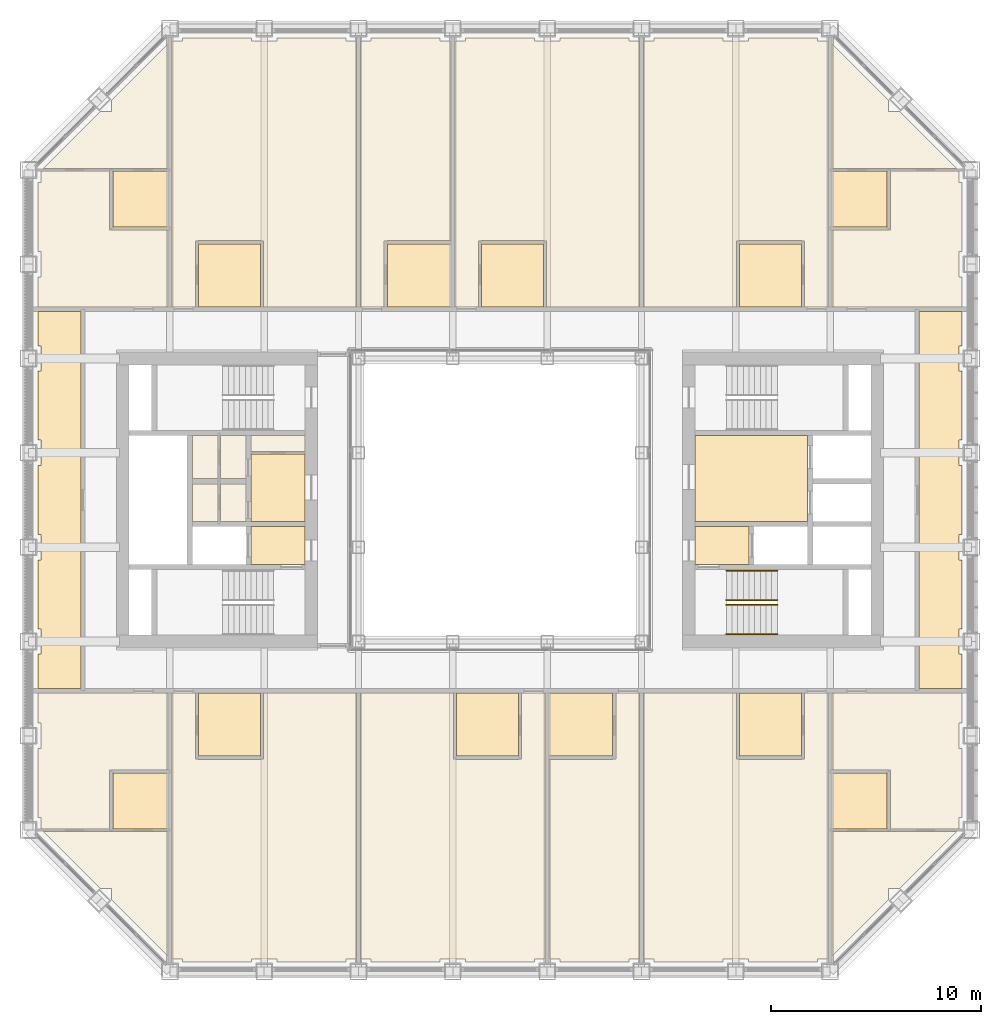
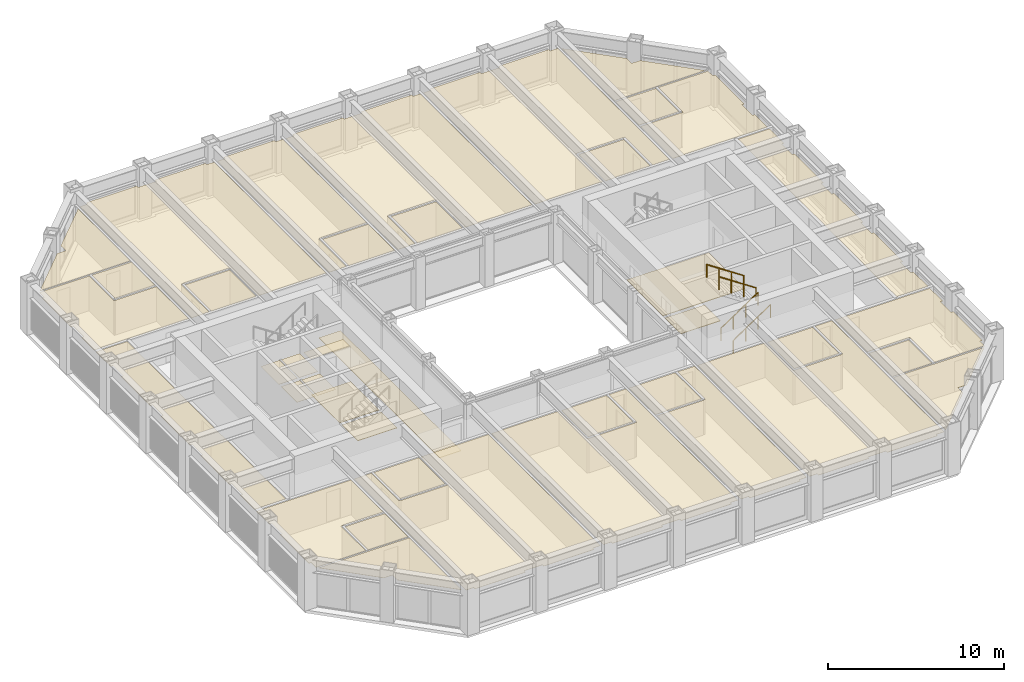
# One storey, part 16 of 17: 4 coverings, 4 railings.
"""IFC4 building model written with IfcOpenShell, lengths in metres."""

import ifcopenshell
import ifcopenshell.guid

model = None  # the IFC model being written
_history = None  # IfcOwnerHistory: only IFC2X3 demands one
_inside = {}  # id of a spatial element -> (the spatial element, [elements in it])
_under = {}  # id of a project, library or spatial element -> (it, [spatial elements below it])
_declared = {}  # id of a project -> (the project, [libraries it declares])
_typed = {}  # id of a type object -> (the type object, [elements of that type])
_made_of = {}  # id of a material, layer set ... -> (it, [elements and type objects made of it])


def new_model(schema):
    """Start an empty IFC model of exactly this schema.

    Asked for "IFC4X3", IfcOpenShell would pick the latest addendum, in which some entities
    have other attributes; the version numbers below select the first issue.
    IFC2X3 requires an IfcOwnerHistory on every rooted entity: one is made here for all.
    """
    global model, _history
    if schema == "IFC4X3":
        model = ifcopenshell.file(schema_version=(4, 3, 0, 0))
    else:
        model = ifcopenshell.file(schema=schema)
    _inside.clear()
    _under.clear()
    _declared.clear()
    _typed.clear()
    _made_of.clear()
    _history = None
    if model.schema == "IFC2X3":
        org = make("IfcOrganization", Name="unknown")
        user = make(
            "IfcPersonAndOrganization",
            ThePerson=make("IfcPerson", FamilyName="unknown"),
            TheOrganization=org,
        )
        app = make(
            "IfcApplication",
            ApplicationDeveloper=org,
            Version="unknown",
            ApplicationFullName="unknown",
            ApplicationIdentifier="unknown",
        )
        _history = make(
            "IfcOwnerHistory",
            OwningUser=user,
            OwningApplication=app,
            ChangeAction="ADDED",
            CreationDate=0,
        )
    return model


def make(cls, **values):
    """One entity of the class cls with the attributes given. An attribute that is None is left unset."""
    return model.create_entity(
        cls, **{name: value for name, value in values.items() if value is not None}
    )


def rooted(cls, **values):
    """An entity with a GlobalId (a new one), such as an element, a storey or a relation."""
    return make(cls, GlobalId=ifcopenshell.guid.new(), OwnerHistory=_history, **values)


def si_unit(unit_type, name, prefix=None):
    """IfcSIUnit, for example si_unit("LENGTHUNIT", "METRE", prefix="MILLI")."""
    return make("IfcSIUnit", UnitType=unit_type, Prefix=prefix, Name=name)


def assignment(units):
    """IfcUnitAssignment: the units of a project."""
    return None if units is None else make("IfcUnitAssignment", Units=units)


def point(xyz):
    """IfcCartesianPoint."""
    return None if xyz is None else make("IfcCartesianPoint", Coordinates=xyz)


def direction(xyz):
    """IfcDirection."""
    return None if xyz is None else make("IfcDirection", DirectionRatios=xyz)


def frame(location, z_axis=None, x_axis=None):
    """IfcAxis2Placement3D, a coordinate frame: its origin and axes. An axis left out is left unset."""
    return make(
        "IfcAxis2Placement3D",
        Location=point(location),
        Axis=direction(z_axis),
        RefDirection=direction(x_axis),
    )


def frame_2d(location, x_axis=None):
    """IfcAxis2Placement2D, a coordinate frame in the plane: its origin and x axis."""
    return make(
        "IfcAxis2Placement2D", Location=point(location), RefDirection=direction(x_axis)
    )


def origin():
    """The frame at (0, 0, 0) with its axes left unset."""
    return frame((0.0, 0.0, 0.0))


def origin_2d():
    """The frame at (0, 0) in the plane with its x axis left unset."""
    return frame_2d((0.0, 0.0))


def place(relative_to, where):
    """IfcLocalPlacement: puts the frame where relative to a parent placement (None: the world)."""
    return make(
        "IfcLocalPlacement", PlacementRelTo=relative_to, RelativePlacement=where
    )


def context(
    kind, dimensions, precision=None, world=None, true_north=None, identifier=None
):
    """IfcGeometricRepresentationContext, for example the 3D "Model" context."""
    return make(
        "IfcGeometricRepresentationContext",
        ContextIdentifier=identifier,
        ContextType=kind,
        CoordinateSpaceDimension=dimensions,
        Precision=precision,
        WorldCoordinateSystem=world,
        TrueNorth=true_north,
    )


def subcontext(parent, identifier, kind, view, scale=None):
    """IfcGeometricRepresentationSubContext, for example "Body" below "Model"."""
    return make(
        "IfcGeometricRepresentationSubContext",
        ContextIdentifier=identifier,
        ContextType=kind,
        ParentContext=parent,
        TargetScale=scale,
        TargetView=view,
    )


def project(units=None, contexts=None):
    """IfcProject with its units and contexts."""
    return rooted(
        "IfcProject",
        Name="project",
        RepresentationContexts=contexts,
        UnitsInContext=assignment(units),
    )


def spatial(cls, under=None, at=None, **own):
    """A site, building, storey or space (cls), placed at a placement, below another one or the project."""
    s = rooted(cls, ObjectPlacement=at, **own)
    if under is not None:
        _under.setdefault(under.id(), (under, []))[1].append(s)
    return s


def point_list(points):
    """IfcCartesianPointList2D or 3D."""
    cls = (
        "IfcCartesianPointList2D" if len(points[0]) == 2 else "IfcCartesianPointList3D"
    )
    return make(cls, CoordList=points)


def line(*indices):
    """IfcLineIndex: a straight run through numbered points of an indexed curve."""
    return model.create_entity("IfcLineIndex", indices)


def indexed_curve(points, segments=None, self_intersect=None):
    """IfcIndexedPolyCurve: lines and arcs through numbered points (the first is 1)."""
    return make(
        "IfcIndexedPolyCurve",
        Points=point_list(points),
        Segments=segments,
        SelfIntersect=self_intersect,
    )


def profile(cls, at=None, kind="AREA", **sizes):
    """A parametric profile (cls). Its sizes go by their IFC names, for example OverallWidth=200.0."""
    return make(cls, ProfileType=kind, Position=at, **sizes)


def circle(**sizes):
    """IfcCircleProfileDef."""
    return profile("IfcCircleProfileDef", **sizes)


def outline(outer, holes=None, kind="AREA"):
    """IfcArbitraryClosedProfileDef: a profile drawn as a closed curve; with holes, ...WithVoids."""
    if holes is None:
        return make("IfcArbitraryClosedProfileDef", ProfileType=kind, OuterCurve=outer)
    return make(
        "IfcArbitraryProfileDefWithVoids",
        ProfileType=kind,
        OuterCurve=outer,
        InnerCurves=holes,
    )


def extrude(swept, where, along, depth):
    """IfcExtrudedAreaSolid: the profile swept, set in the frame where, extruded along a direction by depth."""
    return make(
        "IfcExtrudedAreaSolid",
        SweptArea=swept,
        Position=where,
        ExtrudedDirection=direction(along),
        Depth=depth,
    )


def shape(context_of_items, identifier, shape_type, items):
    """IfcShapeRepresentation: the items that make up one representation, for example the "Body"."""
    return make(
        "IfcShapeRepresentation",
        ContextOfItems=context_of_items,
        RepresentationIdentifier=identifier,
        RepresentationType=shape_type,
        Items=items,
    )


def material(Name=None, Category=None):
    """IfcMaterial."""
    return make("IfcMaterial", Name=Name, Category=Category)


def layer(
    of_material, thickness, ventilated=None, Name=None, Category=None, Priority=None
):
    """IfcMaterialLayer: one layer of a wall or slab, of a material (None: an air gap)."""
    return make(
        "IfcMaterialLayer",
        Material=of_material,
        LayerThickness=thickness,
        IsVentilated=ventilated,
        Name=Name,
        Category=Category,
        Priority=Priority,
    )


def layer_set(layers, Name=None):
    """IfcMaterialLayerSet."""
    return make("IfcMaterialLayerSet", MaterialLayers=layers, LayerSetName=Name)


def made_of(thing, what):
    """Note that an element or type object is made of a material, layer set ...; save() writes the relation."""
    if what is not None:
        _made_of.setdefault(what.id(), (what, []))[1].append(thing)
    return thing


def type_object(cls, material=None, **own):
    """A type object (cls), such as IfcWallType, which elements share."""
    return made_of(rooted(cls, **own), material)


def element(
    cls,
    number,
    at=None,
    inside=None,
    cuts=None,
    type_object=None,
    material=None,
    context=None,
    identifier="Body",
    shape_type=None,
    held_by="IfcProductDefinitionShape",
    body=None,
    shapes=None,
    **own,
):
    """One element of the class cls, such as IfcWall. Its Tag is "e" and its number.

    at: its placement. inside: the storey or other place that contains it. cuts: it is an
    opening in that element (IfcRelVoidsElement). A single representation is given by context,
    identifier, shape_type and body (its items); several are given by shapes. held_by: the class
    of the entity that holds the representations. save() writes the other relations.
    """
    e = rooted(cls, Tag="e%d" % number, ObjectPlacement=at, **own)
    if body is not None:
        shapes = [shape(context, identifier, shape_type, body)]
    if shapes is not None:
        e.Representation = make(held_by, Representations=shapes)
    if inside is not None:
        _inside.setdefault(inside.id(), (inside, []))[1].append(e)
    if cuts is not None:
        rooted(
            "IfcRelVoidsElement", RelatingBuildingElement=cuts, RelatedOpeningElement=e
        )
    if type_object is not None:
        _typed.setdefault(type_object.id(), (type_object, []))[1].append(e)
    return made_of(e, material)


def aggregate(whole, parts):
    """IfcRelAggregates: a whole, such as a stair, and the parts it consists of."""
    return rooted("IfcRelAggregates", RelatingObject=whole, RelatedObjects=parts)


def save(model, path):
    """Write the relations noted so far, then the file.

    IfcRelAggregates (storeys below a building ...), IfcRelContainedInSpatialStructure (elements
    in a storey), IfcRelDefinesByType, IfcRelAssociatesMaterial and IfcRelDeclares: one each for
    every whole, place, type object, material and project.
    """
    for whole, parts in _under.values():
        aggregate(whole, parts)
    for where, things in _inside.values():
        rooted(
            "IfcRelContainedInSpatialStructure",
            RelatedElements=things,
            RelatingStructure=where,
        )
    for kind, things in _typed.values():
        rooted("IfcRelDefinesByType", RelatedObjects=things, RelatingType=kind)
    for what, things in _made_of.values():
        rooted("IfcRelAssociatesMaterial", RelatedObjects=things, RelatingMaterial=what)
    for by, libraries in _declared.values():
        rooted("IfcRelDeclares", RelatingContext=by, RelatedDefinitions=libraries)
    model.write(path)


model = new_model("IFC4")

# Units and contexts
model_context = context("Model", 3, precision=1e-05, world=origin(), true_north=direction((0.0, 1.0)))
body_context = subcontext(model_context, "Body", "Model", "MODEL_VIEW")
ifc_project = project(units=[si_unit("LENGTHUNIT", "METRE"), si_unit("AREAUNIT", "SQUARE_METRE"), si_unit("VOLUMEUNIT", "CUBIC_METRE"), si_unit("PLANEANGLEUNIT", "RADIAN"), si_unit("MASSUNIT", "GRAM", prefix="KILO")], contexts=[model_context])

# Site, building, storey
site_placement = place(None, origin())
site = spatial("IfcSite", under=ifc_project, at=site_placement, CompositionType="ELEMENT")
building_placement = place(site_placement, origin())
building = spatial("IfcBuilding", under=site, at=building_placement, Name="Msasa Ring Tower", CompositionType="ELEMENT")
storey_placement = place(building_placement, frame((0.0, 0.0, 161.60009765625)))
storey = spatial("IfcBuildingStorey", under=building, at=storey_placement, Name="L42", CompositionType="ELEMENT", Elevation=161.60009765625)

# Coverings
ifc_material_1 = material(Name="Gypsum plasterboard on a steel suspension grid", Category="steel")
ifc_layer_1 = layer(ifc_material_1, 0.014892578125)
ifc_layer_set_1 = layer_set([ifc_layer_1], Name="C1 SUSPENDED PLASTERBOARD CEILING 15")
covering_type_1 = type_object("IfcCoveringType", Name="C1 SUSPENDED PLASTERBOARD CEILING 15", PredefinedType="CEILING", material=ifc_layer_set_1)
covering_1_placement = place(storey_placement, frame((0.0, 0.0, 2.407958984375)))
element("IfcCovering", 1, at=covering_1_placement, inside=storey, type_object=covering_type_1, Name="Suspended Plasterboard Ceiling 15 L42", PredefinedType="CEILING", context=body_context, shape_type="SweptSolid", body=[
    extrude(outline(indexed_curve([(-22.049560546875, -11.8505859375), (-21.8994140625, -11.8505859375), (-21.8994140625, -10.6494140625), (-22.049560546875, -10.6494140625), (-22.049560546875, -9.200439453125), (-15.8505859375, -9.200439453125), (-15.8505859375, -12.869384765625), (-18.630615234375, -12.869384765625), (-18.630615234375, -15.694580078125), (-21.8994140625, -15.694580078125), (-21.8994140625, -15.1494140625), (-22.049560546875, -15.1494140625)], segments=[line(1, 2, 3, 4, 5, 6, 7, 8, 9, 10, 11, 12, 1)], self_intersect=False)), origin(), (0.0, 0.0, 1.0), 0.014892578125),
    extrude(outline(indexed_curve([(-15.8505859375, 9.200439453125), (-22.049560546875, 9.200439453125), (-22.049560546875, 10.6494140625), (-21.8994140625, 10.6494140625), (-21.8994140625, 11.8505859375), (-22.049560546875, 11.8505859375), (-22.049560546875, 15.1494140625), (-21.8994140625, 15.1494140625), (-21.8994140625, 15.694580078125), (-18.630615234375, 15.694580078125), (-18.630615234375, 12.869384765625), (-15.8505859375, 12.869384765625)], segments=[line(1, 2, 3, 4, 5, 6, 7, 8, 9, 10, 11, 12, 1)], self_intersect=False)), origin(), (0.0, 0.0, 1.0), 0.014892578125),
    extrude(outline(indexed_curve([(-18.5244140625, -19.08837890625), (-18.5244140625, -18.5244140625), (-19.08837890625, -18.5244140625), (-21.807373046875, -15.805419921875), (-15.8505859375, -15.805419921875), (-15.8505859375, -21.762451171875)], segments=[line(1, 2, 3, 4, 5, 6, 1)], self_intersect=False)), origin(), (0.0, 0.0, 1.0), 0.014892578125),
    extrude(outline(indexed_curve([(-19.08837890625, 18.5244140625), (-18.5244140625, 18.5244140625), (-18.5244140625, 19.08837890625), (-15.8505859375, 21.762451171875), (-15.8505859375, 15.805419921875), (-21.807373046875, 15.805419921875)], segments=[line(1, 2, 3, 4, 5, 6, 1)], self_intersect=False)), origin(), (0.0, 0.0, 1.0), 0.014892578125),
    extrude(outline(indexed_curve([(-14.525390625, -12.35009765625), (-14.39990234375, -12.3505859375), (-14.39990234375, -12.37548828125), (-11.39990234375, -12.37548828125), (-11.39990234375, -12.3505859375), (-11.2744140625, -12.35009765625), (-11.2744140625, -9.200439453125), (-6.8505859375, -9.200439453125), (-6.8505859375, -21.8994140625), (-7.3505859375, -21.8994140625), (-7.3505859375, -22.049560546875), (-10.6494140625, -22.049560546875), (-10.6494140625, -21.8994140625), (-11.8505859375, -21.8994140625), (-11.8505859375, -22.049560546875), (-15.1494140625, -22.049560546875), (-15.1494140625, -21.8994140625), (-15.6494140625, -21.8994140625), (-15.6494140625, -9.200439453125), (-14.525390625, -9.200439453125)], segments=[line(1, 2, 3, 4, 5, 6, 7, 8, 9, 10, 11, 12, 13, 14, 15, 16, 17, 18, 19, 20, 1)], self_intersect=False)), origin(), (0.0, 0.0, 1.0), 0.014892578125),
    extrude(outline(indexed_curve([(-11.39990234375, 12.3505859375), (-11.39990234375, 12.37548828125), (-14.39990234375, 12.37548828125), (-14.39990234375, 12.3505859375), (-14.525390625, 12.35009765625), (-14.525390625, 9.200439453125), (-15.6494140625, 9.200439453125), (-15.6494140625, 21.8994140625), (-15.1494140625, 21.8994140625), (-15.1494140625, 22.049560546875), (-11.8505859375, 22.049560546875), (-11.8505859375, 21.8994140625), (-10.6494140625, 21.8994140625), (-10.6494140625, 22.049560546875), (-7.3505859375, 22.049560546875), (-7.3505859375, 21.8994140625), (-6.8505859375, 21.8994140625), (-6.8505859375, 9.200439453125), (-11.2744140625, 9.200439453125), (-11.2744140625, 12.35009765625)], segments=[line(1, 2, 3, 4, 5, 6, 7, 8, 9, 10, 11, 12, 13, 14, 15, 16, 17, 18, 19, 20, 1)], self_intersect=False)), origin(), (0.0, 0.0, 1.0), 0.014892578125),
    extrude(outline(indexed_curve([(-13.45556640625, -1.0244140625), (-14.674560546875, -1.0244140625), (-14.674560546875, 0.7744140625), (-13.45556640625, 0.7744140625)], segments=[line(1, 2, 3, 4, 1)], self_intersect=False)), origin(), (0.0, 0.0, 1.0), 0.014892578125),
    extrude(outline(indexed_curve([(-14.674560546875, 3.074462890625), (-13.45556640625, 3.074462890625), (-13.45556640625, 1.025390625), (-14.674560546875, 1.025390625)], segments=[line(1, 2, 3, 4, 1)], self_intersect=False)), origin(), (0.0, 0.0, 1.0), 0.014892578125),
    extrude(outline(indexed_curve([(-12.12548828125, -1.0244140625), (-13.344482421875, -1.0244140625), (-13.344482421875, 0.7744140625), (-12.12548828125, 0.7744140625)], segments=[line(1, 2, 3, 4, 1)], self_intersect=False)), origin(), (0.0, 0.0, 1.0), 0.014892578125),
    extrude(outline(indexed_curve([(-13.344482421875, 3.074462890625), (-12.12548828125, 3.074462890625), (-12.12548828125, 1.025390625), (-13.344482421875, 1.025390625)], segments=[line(1, 2, 3, 4, 1)], self_intersect=False)), origin(), (0.0, 0.0, 1.0), 0.014892578125),
    extrude(outline(indexed_curve([(-11.87451171875, 3.074462890625), (-9.300537109375, 3.074462890625), (-9.300537109375, 2.305419921875), (-11.87451171875, 2.305419921875)], segments=[line(1, 2, 3, 4, 1)], self_intersect=False)), origin(), (0.0, 0.0, 1.0), 0.014892578125),
    extrude(outline(indexed_curve([(-2.10009765625, -12.3505859375), (-2.10009765625, -12.37548828125), (0.89990234375, -12.37548828125), (0.89990234375, -12.3505859375), (1.025390625, -12.35009765625), (1.025390625, -9.200439453125), (2.1494140625, -9.200439453125), (2.1494140625, -21.8994140625), (1.6494140625, -21.8994140625), (1.6494140625, -22.049560546875), (-1.6494140625, -22.049560546875), (-1.6494140625, -21.8994140625), (-2.8505859375, -21.8994140625), (-2.8505859375, -22.049560546875), (-6.1494140625, -22.049560546875), (-6.1494140625, -21.8994140625), (-6.6494140625, -21.8994140625), (-6.6494140625, -9.200439453125), (-2.2255859375, -9.200439453125), (-2.2255859375, -12.35009765625)], segments=[line(1, 2, 3, 4, 5, 6, 7, 8, 9, 10, 11, 12, 13, 14, 15, 16, 17, 18, 19, 20, 1)], self_intersect=False)), origin(), (0.0, 0.0, 1.0), 0.014892578125),
    extrude(outline(indexed_curve([(-6.6494140625, 21.8994140625), (-6.1494140625, 21.8994140625), (-6.1494140625, 22.049560546875), (-2.8505859375, 22.049560546875), (-2.8505859375, 21.8994140625), (-2.3505859375, 21.8994140625), (-2.3505859375, 12.37548828125), (-5.39990234375, 12.37548828125), (-5.39990234375, 12.3505859375), (-5.525390625, 12.35009765625), (-5.525390625, 9.200439453125), (-6.6494140625, 9.200439453125)], segments=[line(1, 2, 3, 4, 5, 6, 7, 8, 9, 10, 11, 12, 1)], self_intersect=False)), origin(), (0.0, 0.0, 1.0), 0.014892578125),
    extrude(outline(indexed_curve([(2.10009765625, 12.3505859375), (2.10009765625, 12.37548828125), (-0.89990234375, 12.37548828125), (-0.89990234375, 12.3505859375), (-1.025390625, 12.35009765625), (-1.025390625, 9.200439453125), (-2.1494140625, 9.200439453125), (-2.1494140625, 21.8994140625), (-1.6494140625, 21.8994140625), (-1.6494140625, 22.049560546875), (1.6494140625, 22.049560546875), (1.6494140625, 21.8994140625), (2.8505859375, 21.8994140625), (2.8505859375, 22.049560546875), (6.1494140625, 22.049560546875), (6.1494140625, 21.8994140625), (6.6494140625, 21.8994140625), (6.6494140625, 9.200439453125), (2.2255859375, 9.200439453125), (2.2255859375, 12.35009765625)], segments=[line(1, 2, 3, 4, 5, 6, 7, 8, 9, 10, 11, 12, 13, 14, 15, 16, 17, 18, 19, 20, 1)], self_intersect=False)), origin(), (0.0, 0.0, 1.0), 0.014892578125),
    extrude(outline(indexed_curve([(6.6494140625, -21.8994140625), (6.1494140625, -21.8994140625), (6.1494140625, -22.049560546875), (2.8505859375, -22.049560546875), (2.8505859375, -21.8994140625), (2.3505859375, -21.8994140625), (2.3505859375, -12.37548828125), (5.39990234375, -12.37548828125), (5.39990234375, -12.3505859375), (5.525390625, -12.35009765625), (5.525390625, -9.200439453125), (6.6494140625, -9.200439453125)], segments=[line(1, 2, 3, 4, 5, 6, 7, 8, 9, 10, 11, 12, 1)], self_intersect=False)), origin(), (0.0, 0.0, 1.0), 0.014892578125),
    extrude(outline(indexed_curve([(11.39990234375, -12.3505859375), (11.39990234375, -12.37548828125), (14.39990234375, -12.37548828125), (14.39990234375, -12.3505859375), (14.525390625, -12.35009765625), (14.525390625, -9.200439453125), (15.6494140625, -9.200439453125), (15.6494140625, -21.8994140625), (15.1494140625, -21.8994140625), (15.1494140625, -22.049560546875), (11.8505859375, -22.049560546875), (11.8505859375, -21.8994140625), (10.6494140625, -21.8994140625), (10.6494140625, -22.049560546875), (7.3505859375, -22.049560546875), (7.3505859375, -21.8994140625), (6.8505859375, -21.8994140625), (6.8505859375, -9.200439453125), (11.2744140625, -9.200439453125), (11.2744140625, -12.35009765625)], segments=[line(1, 2, 3, 4, 5, 6, 7, 8, 9, 10, 11, 12, 13, 14, 15, 16, 17, 18, 19, 20, 1)], self_intersect=False)), origin(), (0.0, 0.0, 1.0), 0.014892578125),
    extrude(outline(indexed_curve([(14.39990234375, 12.3505859375), (14.39990234375, 12.37548828125), (11.39990234375, 12.37548828125), (11.39990234375, 12.3505859375), (11.2744140625, 12.35009765625), (11.2744140625, 9.200439453125), (6.8505859375, 9.200439453125), (6.8505859375, 21.8994140625), (7.3505859375, 21.8994140625), (7.3505859375, 22.049560546875), (10.6494140625, 22.049560546875), (10.6494140625, 21.8994140625), (11.8505859375, 21.8994140625), (11.8505859375, 22.049560546875), (15.1494140625, 22.049560546875), (15.1494140625, 21.8994140625), (15.6494140625, 21.8994140625), (15.6494140625, 9.200439453125), (14.525390625, 9.200439453125), (14.525390625, 12.35009765625)], segments=[line(1, 2, 3, 4, 5, 6, 7, 8, 9, 10, 11, 12, 13, 14, 15, 16, 17, 18, 19, 20, 1)], self_intersect=False)), origin(), (0.0, 0.0, 1.0), 0.014892578125),
    extrude(outline(indexed_curve([(19.08837890625, -18.5244140625), (18.5244140625, -18.5244140625), (18.5244140625, -19.08837890625), (15.8505859375, -21.762451171875), (15.8505859375, -15.805419921875), (21.807373046875, -15.805419921875)], segments=[line(1, 2, 3, 4, 5, 6, 1)], self_intersect=False)), origin(), (0.0, 0.0, 1.0), 0.014892578125),
    extrude(outline(indexed_curve([(15.8505859375, -12.869384765625), (15.8505859375, -9.200439453125), (22.049560546875, -9.200439453125), (22.049560546875, -10.6494140625), (21.8994140625, -10.6494140625), (21.8994140625, -11.8505859375), (22.049560546875, -11.8505859375), (22.049560546875, -15.1494140625), (21.8994140625, -15.1494140625), (21.8994140625, -15.694580078125), (18.630615234375, -15.694580078125), (18.630615234375, -12.869384765625)], segments=[line(1, 2, 3, 4, 5, 6, 7, 8, 9, 10, 11, 12, 1)], self_intersect=False)), origin(), (0.0, 0.0, 1.0), 0.014892578125),
    extrude(outline(indexed_curve([(22.049560546875, 11.8505859375), (21.8994140625, 11.8505859375), (21.8994140625, 10.6494140625), (22.049560546875, 10.6494140625), (22.049560546875, 9.200439453125), (15.8505859375, 9.200439453125), (15.8505859375, 12.869384765625), (18.630615234375, 12.869384765625), (18.630615234375, 15.694580078125), (21.8994140625, 15.694580078125), (21.8994140625, 15.1494140625), (22.049560546875, 15.1494140625)], segments=[line(1, 2, 3, 4, 5, 6, 7, 8, 9, 10, 11, 12, 1)], self_intersect=False)), origin(), (0.0, 0.0, 1.0), 0.014892578125),
    extrude(outline(indexed_curve([(15.8505859375, 15.805419921875), (15.8505859375, 21.762451171875), (18.5244140625, 19.08837890625), (18.5244140625, 18.5244140625), (19.08837890625, 18.5244140625), (21.807373046875, 15.805419921875)], segments=[line(1, 2, 3, 4, 5, 6, 1)], self_intersect=False)), origin(), (0.0, 0.0, 1.0), 0.014892578125),
])
ifc_material_2 = material(Name="Moisture-resistant gypsum plasterboard on a steel suspension grid", Category="steel")
ifc_layer_2 = layer(ifc_material_2, 0.014892578125)
ifc_layer_set_2 = layer_set([ifc_layer_2], Name="C2 MOISTURE-RESISTANT PLASTERBOARD CEILING 15")
covering_type_2 = type_object("IfcCoveringType", Name="C2 MOISTURE-RESISTANT PLASTERBOARD CEILING 15", PredefinedType="CEILING", material=ifc_layer_set_2)
covering_2_placement = place(storey_placement, frame((0.0, 0.0, 2.39990234375)))
element("IfcCovering", 2, at=covering_2_placement, inside=storey, type_object=covering_type_2, Name="Moisture-Resistant Plasterboard Ceiling 15 L42", PredefinedType="CEILING", context=body_context, shape_type="SweptSolid", body=[
    extrude(outline(indexed_curve([(-18.469482421875, -15.694580078125), (-18.469482421875, -13.030517578125), (-15.8505859375, -13.030517578125), (-15.8505859375, -15.694580078125)], segments=[line(1, 2, 3, 4, 1)], self_intersect=False)), origin(), (0.0, 0.0, 1.0), 0.014892578125),
    extrude(outline(indexed_curve([(-18.469482421875, 15.694580078125), (-15.8505859375, 15.694580078125), (-15.8505859375, 13.030517578125), (-18.469482421875, 13.030517578125)], segments=[line(1, 2, 3, 4, 1)], self_intersect=False)), origin(), (0.0, 0.0, 1.0), 0.014892578125),
    extrude(outline(indexed_curve([(-11.425537109375, -9.200439453125), (-11.425537109375, -12.224609375), (-14.37451171875, -12.224609375), (-14.37451171875, -9.200439453125)], segments=[line(1, 2, 3, 4, 1)], self_intersect=False)), origin(), (0.0, 0.0, 1.0), 0.014892578125),
    extrude(outline(indexed_curve([(-14.37451171875, 9.200439453125), (-14.37451171875, 12.224609375), (-11.425537109375, 12.224609375), (-11.425537109375, 9.200439453125)], segments=[line(1, 2, 3, 4, 1)], self_intersect=False)), origin(), (0.0, 0.0, 1.0), 0.014892578125),
    extrude(outline(indexed_curve([(-2.3505859375, 9.200439453125), (-5.37451171875, 9.200439453125), (-5.37451171875, 12.224609375), (-2.3505859375, 12.224609375)], segments=[line(1, 2, 3, 4, 1)], self_intersect=False)), origin(), (0.0, 0.0, 1.0), 0.014892578125),
    extrude(outline(indexed_curve([(0.87451171875, -9.200439453125), (0.87451171875, -12.224609375), (-2.074462890625, -12.224609375), (-2.074462890625, -9.200439453125)], segments=[line(1, 2, 3, 4, 1)], self_intersect=False)), origin(), (0.0, 0.0, 1.0), 0.014892578125),
    extrude(outline(indexed_curve([(-0.87451171875, 9.200439453125), (-0.87451171875, 12.224609375), (2.074462890625, 12.224609375), (2.074462890625, 9.200439453125)], segments=[line(1, 2, 3, 4, 1)], self_intersect=False)), origin(), (0.0, 0.0, 1.0), 0.014892578125),
    extrude(outline(indexed_curve([(2.3505859375, -9.200439453125), (5.37451171875, -9.200439453125), (5.37451171875, -12.224609375), (2.3505859375, -12.224609375)], segments=[line(1, 2, 3, 4, 1)], self_intersect=False)), origin(), (0.0, 0.0, 1.0), 0.014892578125),
    extrude(outline(indexed_curve([(14.37451171875, -9.200439453125), (14.37451171875, -12.224609375), (11.425537109375, -12.224609375), (11.425537109375, -9.200439453125)], segments=[line(1, 2, 3, 4, 1)], self_intersect=False)), origin(), (0.0, 0.0, 1.0), 0.014892578125),
    extrude(outline(indexed_curve([(11.425537109375, 9.200439453125), (11.425537109375, 12.224609375), (14.37451171875, 12.224609375), (14.37451171875, 9.200439453125)], segments=[line(1, 2, 3, 4, 1)], self_intersect=False)), origin(), (0.0, 0.0, 1.0), 0.014892578125),
    extrude(outline(indexed_curve([(15.8505859375, -15.694580078125), (15.8505859375, -13.030517578125), (18.469482421875, -13.030517578125), (18.469482421875, -15.694580078125)], segments=[line(1, 2, 3, 4, 1)], self_intersect=False)), origin(), (0.0, 0.0, 1.0), 0.014892578125),
    extrude(outline(indexed_curve([(15.8505859375, 15.694580078125), (18.469482421875, 15.694580078125), (18.469482421875, 13.030517578125), (15.8505859375, 13.030517578125)], segments=[line(1, 2, 3, 4, 1)], self_intersect=False)), origin(), (0.0, 0.0, 1.0), 0.014892578125),
])
ifc_material_3 = material(Name="Mineral fibre ceiling tiles on an exposed steel grid", Category="steel")
ifc_layer_3 = layer(ifc_material_3, 0.02001953125)
ifc_layer_set_3 = layer_set([ifc_layer_3], Name="C3 ACOUSTIC MINERAL FIBRE TILE CEILING 20")
covering_type_3 = type_object("IfcCoveringType", Name="C3 ACOUSTIC MINERAL FIBRE TILE CEILING 20", PredefinedType="CEILING", material=ifc_layer_set_3)
covering_3_placement = place(storey_placement, frame((0.0, 0.0, 2.408935546875)))
element("IfcCovering", 3, at=covering_3_placement, inside=storey, type_object=covering_type_3, Name="Acoustic Mineral Fibre Tile Ceiling 20 L42", PredefinedType="CEILING", context=body_context, shape_type="SweptSolid", body=[
    extrude(outline(indexed_curve([(-22.049560546875, -8.99951171875), (-22.049560546875, -7.3505859375), (-21.8994140625, -7.3505859375), (-21.8994140625, -6.1494140625), (-22.049560546875, -6.1494140625), (-22.049560546875, -2.8505859375), (-21.8994140625, -2.8505859375), (-21.8994140625, -1.6494140625), (-22.049560546875, -1.6494140625), (-22.049560546875, 1.6494140625), (-21.8994140625, 1.6494140625), (-21.8994140625, 2.8505859375), (-22.049560546875, 2.8505859375), (-22.049560546875, 6.1494140625), (-21.8994140625, 6.1494140625), (-21.8994140625, 7.3505859375), (-22.049560546875, 7.3505859375), (-22.049560546875, 8.99951171875), (-20.00048828125, 8.99951171875), (-20.00048828125, -8.99951171875)], segments=[line(1, 2, 3, 4, 5, 6, 7, 8, 9, 10, 11, 12, 13, 14, 15, 16, 17, 18, 19, 20, 1)], self_intersect=False)), origin(), (0.0, 0.0, 1.0), 0.02001953125),
    extrude(outline(indexed_curve([(20.00048828125, 8.99951171875), (22.049560546875, 8.99951171875), (22.049560546875, 7.3505859375), (21.8994140625, 7.3505859375), (21.8994140625, 6.1494140625), (22.049560546875, 6.1494140625), (22.049560546875, 2.8505859375), (21.8994140625, 2.8505859375), (21.8994140625, 1.6494140625), (22.049560546875, 1.6494140625), (22.049560546875, -1.6494140625), (21.8994140625, -1.6494140625), (21.8994140625, -2.8505859375), (22.049560546875, -2.8505859375), (22.049560546875, -6.1494140625), (21.8994140625, -6.1494140625), (21.8994140625, -7.3505859375), (22.049560546875, -7.3505859375), (22.049560546875, -8.99951171875), (20.00048828125, -8.99951171875)], segments=[line(1, 2, 3, 4, 5, 6, 7, 8, 9, 10, 11, 12, 13, 14, 15, 16, 17, 18, 19, 20, 1)], self_intersect=False)), origin(), (0.0, 0.0, 1.0), 0.02001953125),
])
ifc_material_4 = material(Name="Honed granite tiles on a mortar bed", Category="masonry")
ifc_layer_4 = layer(ifc_material_4, 0.030029296875)
ifc_layer_set_4 = layer_set([ifc_layer_4], Name="F1 HONED GRANITE ON BEDDING 30")
covering_type_4 = type_object("IfcCoveringType", Name="F1 HONED GRANITE ON BEDDING 30", PredefinedType="FLOORING", material=ifc_layer_set_4)
covering_4_placement = place(storey_placement, origin())
element("IfcCovering", 4, at=covering_4_placement, inside=storey, type_object=covering_type_4, Name="Honed Granite On Bedding 30 L42", PredefinedType="FLOORING", context=body_context, shape_type="SweptSolid", body=[
    extrude(outline(indexed_curve([(-11.87451171875, -3.074462890625), (-11.87451171875, -1.275390625), (-9.300537109375, -1.275390625), (-9.300537109375, -3.074462890625)], segments=[line(1, 2, 3, 4, 1)], self_intersect=False)), origin(), (0.0, 0.0, 1.0), 0.02978515625),
    extrude(outline(indexed_curve([(-11.87451171875, 2.194580078125), (-9.300537109375, 2.194580078125), (-9.300537109375, -1.0244140625), (-11.87451171875, -1.0244140625)], segments=[line(1, 2, 3, 4, 1)], self_intersect=False)), origin(), (0.0, 0.0, 1.0), 0.02978515625),
    extrude(outline(indexed_curve([(-8.699462890625, -6.849609375), (-8.699462890625, 6.849609375), (-7.280029296875, 6.849609375), (-7.280029296875, -6.849609375)], segments=[line(1, 2, 3, 4, 1)], self_intersect=False)), origin(), (0.0, 0.0, 1.0), 0.02978515625),
    extrude(outline(indexed_curve([(9.300537109375, -3.074462890625), (9.300537109375, -1.275390625), (11.87451171875, -1.275390625), (11.87451171875, -3.074462890625)], segments=[line(1, 2, 3, 4, 1)], self_intersect=False)), origin(), (0.0, 0.0, 1.0), 0.02978515625),
    extrude(outline(indexed_curve([(9.300537109375, 3.074462890625), (14.674560546875, 3.074462890625), (14.674560546875, -1.0244140625), (9.300537109375, -1.0244140625)], segments=[line(1, 2, 3, 4, 1)], self_intersect=False)), origin(), (0.0, 0.0, 1.0), 0.02978515625),
])

# Railings
ifc_material_5 = material(Name="Stainless steel", Category="steel")
railing_type = type_object("IfcRailingType", Name="HR1 HANDRAIL 900", PredefinedType="HANDRAIL", material=ifc_material_5)
for number, where, name in (
    (5, (10.800048828125, -6.39990234375, 0.179931640625), "Handrail stair SEA L42 1"),
    (6, (10.800048828125, -5.0, 0.179931640625), "Handrail stair SEA L42 2"),
):
    element("IfcRailing", number, at=place(storey_placement, frame(where)), inside=storey, type_object=railing_type, Name=name, PredefinedType="HANDRAIL", context=body_context, shape_type="SweptSolid", body=[
        extrude(circle(Radius=0.02392578125, at=origin_2d()), frame((0.0, 0.0, 0.8759765625), z_axis=(0.832063155534, 0.0, 0.554680903946), x_axis=(0.0, 1.0, 0.0)), (0.0, 0.0, 1.0), 2.92041015625),
        extrude(circle(Radius=0.02099609375, at=origin_2d()), origin(), (0.0, 0.0, 1.0), 0.851806640625),
        extrude(circle(Radius=0.02099609375, at=origin_2d()), frame((0.81005859375, 0.0, 0.5400390625)), (0.0, 0.0, 1.0), 0.851806640625),
        extrude(circle(Radius=0.02099609375, at=origin_2d()), frame((1.619873046875, 0.0, 1.079833984375)), (0.0, 0.0, 1.0), 0.851806640625),
        extrude(circle(Radius=0.02099609375, at=origin_2d()), frame((2.429931640625, 0.0, 1.619873046875)), (0.0, 0.0, 1.0), 0.851806640625),
    ])
for number, where, name in (
    (7, (13.22998046875, -4.77490234375, 1.97998046875), "Handrail stair SEA L42 3"),
    (8, (13.22998046875, -3.375, 1.97998046875), "Handrail stair SEA L42 4"),
):
    element("IfcRailing", number, at=place(storey_placement, frame(where)), inside=storey, type_object=railing_type, Name=name, PredefinedType="HANDRAIL", context=body_context, shape_type="SweptSolid", body=[
        extrude(circle(Radius=0.02392578125, at=origin_2d()), frame((0.0, 0.0, 0.8759765625), z_axis=(-0.832063155534, 0.0, 0.554680903946), x_axis=(0.0, -1.0, 0.0)), (0.0, 0.0, 1.0), 2.92041015625),
        extrude(circle(Radius=0.02099609375, at=origin_2d()), origin(), (0.0, 0.0, 1.0), 0.851806640625),
        extrude(circle(Radius=0.02099609375, at=origin_2d()), frame((-0.81005859375, 0.0, 0.5400390625)), (0.0, 0.0, 1.0), 0.851806640625),
        extrude(circle(Radius=0.02099609375, at=origin_2d()), frame((-1.619873046875, 0.0, 1.079833984375)), (0.0, 0.0, 1.0), 0.851806640625),
        extrude(circle(Radius=0.02099609375, at=origin_2d()), frame((-2.429931640625, 0.0, 1.619873046875)), (0.0, 0.0, 1.0), 0.851806640625),
    ])

save(model, "model.ifc")
